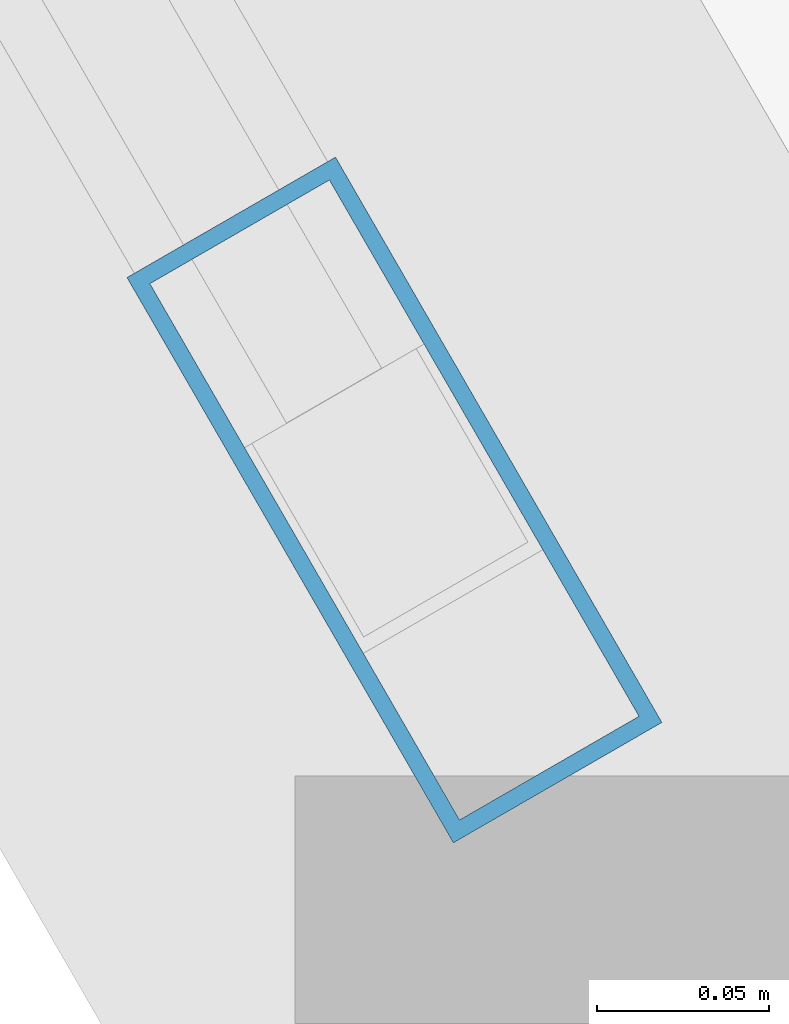
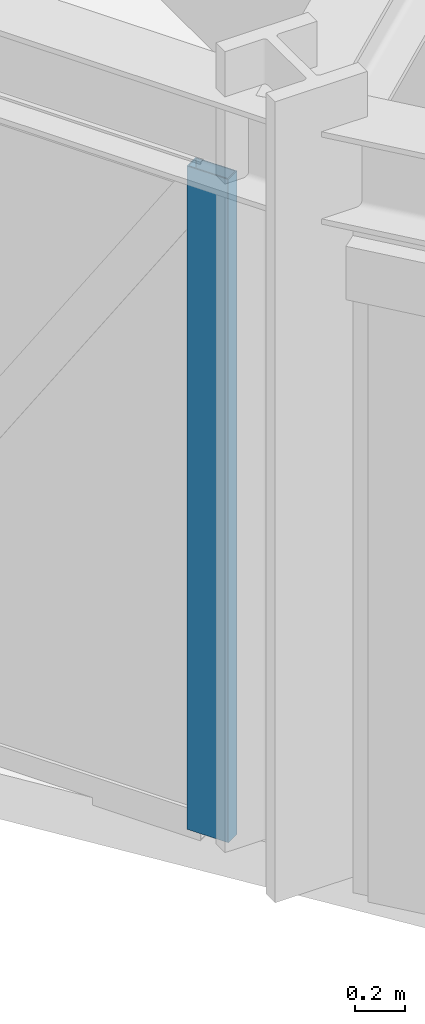
# One storey, part 2 of 22: 1 member, 1 element without a shape of its own.
"""IFC4 building model written with IfcOpenShell, lengths in metres."""

from ifc_helpers import new_model, si_unit, derived_unit, direction, frame, origin, origin_2d, place, context, subcontext, project, spatial, hollow_rectangle, extrude, source, transform, mapped, material, layer, layer_set, material_profile, profile_set, type_object, element, aggregate, save


model = new_model("IFC4")

# Units and contexts
model_context = context("Model", 3, precision=1e-05, world=origin(), true_north=direction((0.0, 1.0)))
body_context = subcontext(model_context, "Body", "Model", "MODEL_VIEW")
ifc_project = project(units=[si_unit("LENGTHUNIT", "METRE"), si_unit("AREAUNIT", "SQUARE_METRE"), si_unit("VOLUMEUNIT", "CUBIC_METRE"), si_unit("PLANEANGLEUNIT", "RADIAN"), si_unit("MASSUNIT", "GRAM", prefix="KILO"), derived_unit("THERMALTRANSMITTANCEUNIT", [(si_unit("POWERUNIT", "WATT"), 1), (si_unit("LENGTHUNIT", "METRE"), -2), (si_unit("THERMODYNAMICTEMPERATUREUNIT", "KELVIN"), -1)])], contexts=[model_context])

# Site, building, storey
site_placement = place(None, origin())
site = spatial("IfcSite", under=ifc_project, at=site_placement, CompositionType="ELEMENT")
building_placement = place(site_placement, origin())
building = spatial("IfcBuilding", under=site, at=building_placement, Name="Korsvarv Bourse and Concert Hall", CompositionType="ELEMENT")
storey_placement = place(building_placement, frame((0.0, 0.0, 47.39990234375)))
storey = spatial("IfcBuildingStorey", under=building, at=storey_placement, Name="L11", CompositionType="ELEMENT", Elevation=47.39990234375)

# Curtain wall, member
ifc_material_1 = material(Name="Anodised aluminium and triple low-E glazing", Category="glass")
ifc_layer = layer(ifc_material_1, 0.219970703125)
ifc_layer_set = layer_set([ifc_layer], Name="Anodised aluminium and triple low-E glazing")
curtain_wall_type = type_object("IfcCurtainWallType", Name="CW-SYS-1", PredefinedType="NOTDEFINED", material=ifc_layer_set)
curtain_wall_placement = place(storey_placement, origin())
curtain_wall = element("IfcCurtainWall", 1, at=curtain_wall_placement, inside=storey, type_object=curtain_wall_type, Name="L11 CW1 curtain wall CW-L11-F07", PredefinedType="NOTDEFINED")
ifc_material_2 = material(Name="Extruded aluminium EN AW-6063 T66", Category="aluminium")
ifc_material_profile = material_profile(ifc_material_2, hollow_rectangle(XDim=0.070068359375, YDim=0.18994140625, WallThickness=0.0048828125, at=origin_2d()), Name="ALU-M 70x190")
ifc_profile_set = profile_set([ifc_material_profile], Name="Extruded aluminium EN AW-6063 T66")
member_type = type_object("IfcMemberType", Name="CWM-190", PredefinedType="MULLION", material=ifc_profile_set)
shared_shape = source(origin(), body_context, "Body", "SweptSolid", [
    extrude(hollow_rectangle(XDim=0.070068359375, YDim=0.18994140625, WallThickness=0.0048828125, at=origin_2d()), origin(), (0.0, 0.0, 1.0), 3.22998046875),
])
member_placement = place(storey_placement, frame((21.618408203125, 19.130859375, 0.0), z_axis=(0.0, 0.0, 1.0), x_axis=(0.866025499647, 0.499999833962, 0.0)))
member = element("IfcMember", 2, at=member_placement, type_object=member_type, Name="CW1 mullion 8", PredefinedType="MULLION", context=body_context, shape_type="MappedRepresentation", body=[
    mapped(shared_shape, transform((0.0, 0.0, 0.0), scale=1.0)),
])
aggregate(curtain_wall, [member])

save(model, "model.ifc")
